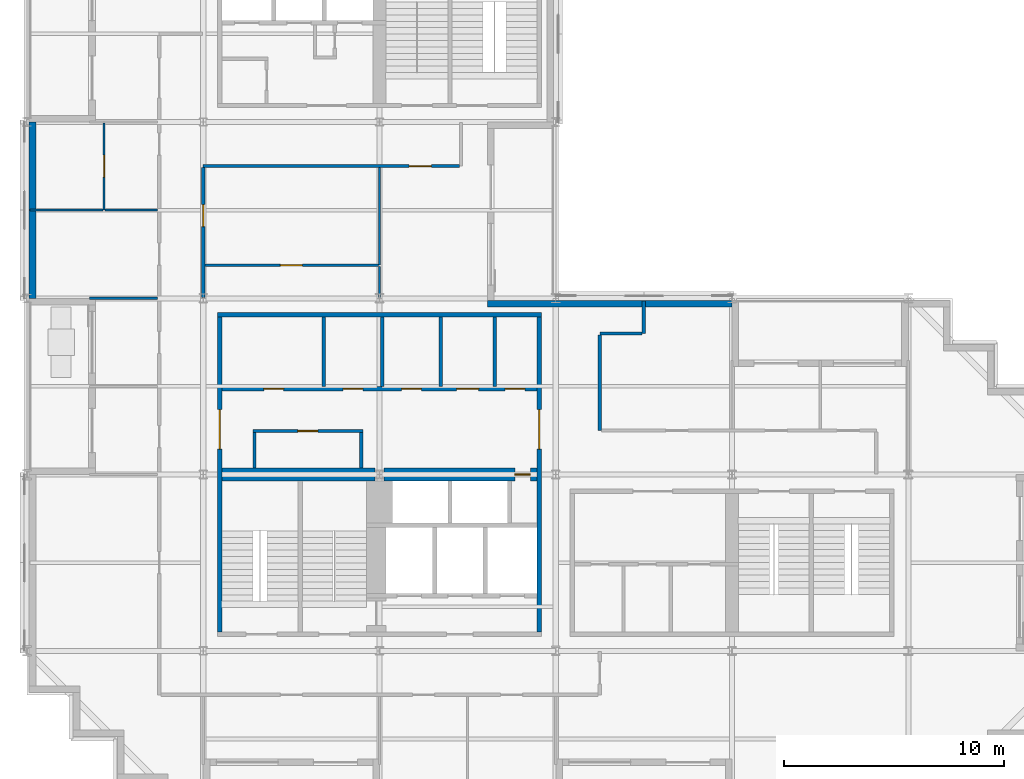
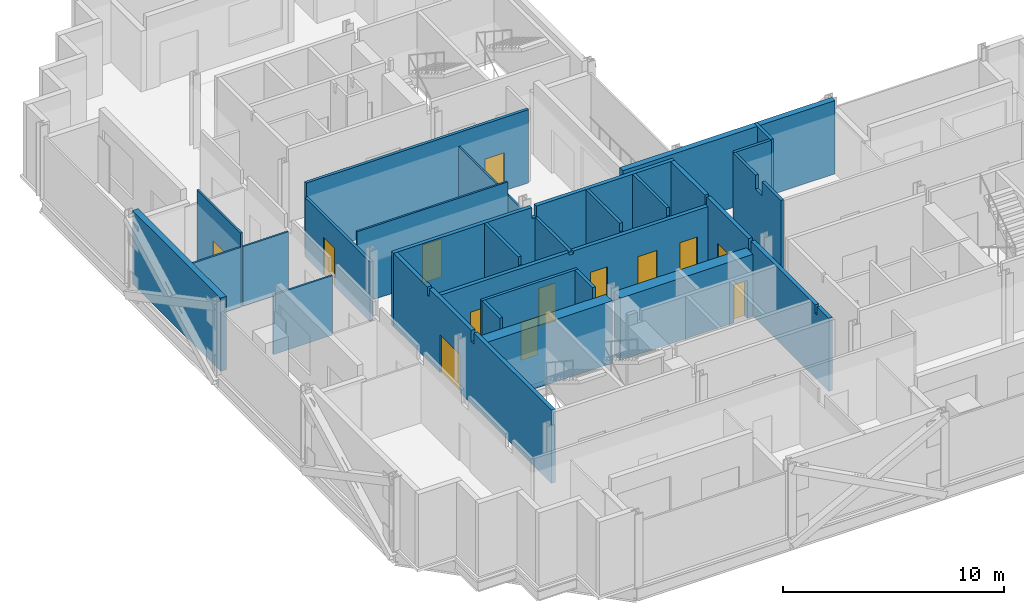
# One storey, part 6 of 12: 27 walls, 13 doors, 13 openings.
"""IFC4 building model written with IfcOpenShell, lengths in metres."""

import ifcopenshell
import ifcopenshell.guid

model = None  # the IFC model being written
_history = None  # IfcOwnerHistory: only IFC2X3 demands one
_inside = {}  # id of a spatial element -> (the spatial element, [elements in it])
_under = {}  # id of a project, library or spatial element -> (it, [spatial elements below it])
_declared = {}  # id of a project -> (the project, [libraries it declares])
_typed = {}  # id of a type object -> (the type object, [elements of that type])
_made_of = {}  # id of a material, layer set ... -> (it, [elements and type objects made of it])


def new_model(schema):
    """Start an empty IFC model of exactly this schema.

    Asked for "IFC4X3", IfcOpenShell would pick the latest addendum, in which some entities
    have other attributes; the version numbers below select the first issue.
    IFC2X3 requires an IfcOwnerHistory on every rooted entity: one is made here for all.
    """
    global model, _history
    if schema == "IFC4X3":
        model = ifcopenshell.file(schema_version=(4, 3, 0, 0))
    else:
        model = ifcopenshell.file(schema=schema)
    _inside.clear()
    _under.clear()
    _declared.clear()
    _typed.clear()
    _made_of.clear()
    _history = None
    if model.schema == "IFC2X3":
        org = make("IfcOrganization", Name="unknown")
        user = make(
            "IfcPersonAndOrganization",
            ThePerson=make("IfcPerson", FamilyName="unknown"),
            TheOrganization=org,
        )
        app = make(
            "IfcApplication",
            ApplicationDeveloper=org,
            Version="unknown",
            ApplicationFullName="unknown",
            ApplicationIdentifier="unknown",
        )
        _history = make(
            "IfcOwnerHistory",
            OwningUser=user,
            OwningApplication=app,
            ChangeAction="ADDED",
            CreationDate=0,
        )
    return model


def make(cls, **values):
    """One entity of the class cls with the attributes given. An attribute that is None is left unset."""
    return model.create_entity(
        cls, **{name: value for name, value in values.items() if value is not None}
    )


def rooted(cls, **values):
    """An entity with a GlobalId (a new one), such as an element, a storey or a relation."""
    return make(cls, GlobalId=ifcopenshell.guid.new(), OwnerHistory=_history, **values)


def si_unit(unit_type, name, prefix=None):
    """IfcSIUnit, for example si_unit("LENGTHUNIT", "METRE", prefix="MILLI")."""
    return make("IfcSIUnit", UnitType=unit_type, Prefix=prefix, Name=name)


def assignment(units):
    """IfcUnitAssignment: the units of a project."""
    return None if units is None else make("IfcUnitAssignment", Units=units)


def point(xyz):
    """IfcCartesianPoint."""
    return None if xyz is None else make("IfcCartesianPoint", Coordinates=xyz)


def direction(xyz):
    """IfcDirection."""
    return None if xyz is None else make("IfcDirection", DirectionRatios=xyz)


def frame(location, z_axis=None, x_axis=None):
    """IfcAxis2Placement3D, a coordinate frame: its origin and axes. An axis left out is left unset."""
    return make(
        "IfcAxis2Placement3D",
        Location=point(location),
        Axis=direction(z_axis),
        RefDirection=direction(x_axis),
    )


def frame_2d(location, x_axis=None):
    """IfcAxis2Placement2D, a coordinate frame in the plane: its origin and x axis."""
    return make(
        "IfcAxis2Placement2D", Location=point(location), RefDirection=direction(x_axis)
    )


def origin():
    """The frame at (0, 0, 0) with its axes left unset."""
    return frame((0.0, 0.0, 0.0))


def place(relative_to, where):
    """IfcLocalPlacement: puts the frame where relative to a parent placement (None: the world)."""
    return make(
        "IfcLocalPlacement", PlacementRelTo=relative_to, RelativePlacement=where
    )


def context(
    kind, dimensions, precision=None, world=None, true_north=None, identifier=None
):
    """IfcGeometricRepresentationContext, for example the 3D "Model" context."""
    return make(
        "IfcGeometricRepresentationContext",
        ContextIdentifier=identifier,
        ContextType=kind,
        CoordinateSpaceDimension=dimensions,
        Precision=precision,
        WorldCoordinateSystem=world,
        TrueNorth=true_north,
    )


def subcontext(parent, identifier, kind, view, scale=None):
    """IfcGeometricRepresentationSubContext, for example "Body" below "Model"."""
    return make(
        "IfcGeometricRepresentationSubContext",
        ContextIdentifier=identifier,
        ContextType=kind,
        ParentContext=parent,
        TargetScale=scale,
        TargetView=view,
    )


def project(units=None, contexts=None):
    """IfcProject with its units and contexts."""
    return rooted(
        "IfcProject",
        Name="project",
        RepresentationContexts=contexts,
        UnitsInContext=assignment(units),
    )


def spatial(cls, under=None, at=None, **own):
    """A site, building, storey or space (cls), placed at a placement, below another one or the project."""
    s = rooted(cls, ObjectPlacement=at, **own)
    if under is not None:
        _under.setdefault(under.id(), (under, []))[1].append(s)
    return s


def polyline(points):
    """IfcPolyline through the points."""
    return make("IfcPolyline", Points=[point(p) for p in points])


def profile(cls, at=None, kind="AREA", **sizes):
    """A parametric profile (cls). Its sizes go by their IFC names, for example OverallWidth=200.0."""
    return make(cls, ProfileType=kind, Position=at, **sizes)


def rectangle(**sizes):
    """IfcRectangleProfileDef."""
    return profile("IfcRectangleProfileDef", **sizes)


def outline(outer, holes=None, kind="AREA"):
    """IfcArbitraryClosedProfileDef: a profile drawn as a closed curve; with holes, ...WithVoids."""
    if holes is None:
        return make("IfcArbitraryClosedProfileDef", ProfileType=kind, OuterCurve=outer)
    return make(
        "IfcArbitraryProfileDefWithVoids",
        ProfileType=kind,
        OuterCurve=outer,
        InnerCurves=holes,
    )


def extrude(swept, where, along, depth):
    """IfcExtrudedAreaSolid: the profile swept, set in the frame where, extruded along a direction by depth."""
    return make(
        "IfcExtrudedAreaSolid",
        SweptArea=swept,
        Position=where,
        ExtrudedDirection=direction(along),
        Depth=depth,
    )


def shape(context_of_items, identifier, shape_type, items):
    """IfcShapeRepresentation: the items that make up one representation, for example the "Body"."""
    return make(
        "IfcShapeRepresentation",
        ContextOfItems=context_of_items,
        RepresentationIdentifier=identifier,
        RepresentationType=shape_type,
        Items=items,
    )


def material(Name=None, Category=None):
    """IfcMaterial."""
    return make("IfcMaterial", Name=Name, Category=Category)


def layer(
    of_material, thickness, ventilated=None, Name=None, Category=None, Priority=None
):
    """IfcMaterialLayer: one layer of a wall or slab, of a material (None: an air gap)."""
    return make(
        "IfcMaterialLayer",
        Material=of_material,
        LayerThickness=thickness,
        IsVentilated=ventilated,
        Name=Name,
        Category=Category,
        Priority=Priority,
    )


def layer_set(layers, Name=None):
    """IfcMaterialLayerSet."""
    return make("IfcMaterialLayerSet", MaterialLayers=layers, LayerSetName=Name)


def made_of(thing, what):
    """Note that an element or type object is made of a material, layer set ...; save() writes the relation."""
    if what is not None:
        _made_of.setdefault(what.id(), (what, []))[1].append(thing)
    return thing


def type_object(cls, material=None, **own):
    """A type object (cls), such as IfcWallType, which elements share."""
    return made_of(rooted(cls, **own), material)


def element(
    cls,
    number,
    at=None,
    inside=None,
    cuts=None,
    type_object=None,
    material=None,
    context=None,
    identifier="Body",
    shape_type=None,
    held_by="IfcProductDefinitionShape",
    body=None,
    shapes=None,
    **own,
):
    """One element of the class cls, such as IfcWall. Its Tag is "e" and its number.

    at: its placement. inside: the storey or other place that contains it. cuts: it is an
    opening in that element (IfcRelVoidsElement). A single representation is given by context,
    identifier, shape_type and body (its items); several are given by shapes. held_by: the class
    of the entity that holds the representations. save() writes the other relations.
    """
    e = rooted(cls, Tag="e%d" % number, ObjectPlacement=at, **own)
    if body is not None:
        shapes = [shape(context, identifier, shape_type, body)]
    if shapes is not None:
        e.Representation = make(held_by, Representations=shapes)
    if inside is not None:
        _inside.setdefault(inside.id(), (inside, []))[1].append(e)
    if cuts is not None:
        rooted(
            "IfcRelVoidsElement", RelatingBuildingElement=cuts, RelatedOpeningElement=e
        )
    if type_object is not None:
        _typed.setdefault(type_object.id(), (type_object, []))[1].append(e)
    return made_of(e, material)


def fill(opening, filler):
    """IfcRelFillsElement: the door or window that sits in an opening."""
    return rooted(
        "IfcRelFillsElement",
        RelatingOpeningElement=opening,
        RelatedBuildingElement=filler,
    )


def aggregate(whole, parts):
    """IfcRelAggregates: a whole, such as a stair, and the parts it consists of."""
    return rooted("IfcRelAggregates", RelatingObject=whole, RelatedObjects=parts)


def save(model, path):
    """Write the relations noted so far, then the file.

    IfcRelAggregates (storeys below a building ...), IfcRelContainedInSpatialStructure (elements
    in a storey), IfcRelDefinesByType, IfcRelAssociatesMaterial and IfcRelDeclares: one each for
    every whole, place, type object, material and project.
    """
    for whole, parts in _under.values():
        aggregate(whole, parts)
    for where, things in _inside.values():
        rooted(
            "IfcRelContainedInSpatialStructure",
            RelatedElements=things,
            RelatingStructure=where,
        )
    for kind, things in _typed.values():
        rooted("IfcRelDefinesByType", RelatedObjects=things, RelatingType=kind)
    for what, things in _made_of.values():
        rooted("IfcRelAssociatesMaterial", RelatedObjects=things, RelatingMaterial=what)
    for by, libraries in _declared.values():
        rooted("IfcRelDeclares", RelatingContext=by, RelatedDefinitions=libraries)
    model.write(path)


model = new_model("IFC4")

# Units and contexts
model_context = context("Model", 3, precision=1e-05, world=origin(), true_north=direction((0.0, 1.0)))
body_context = subcontext(model_context, "Body", "Model", "MODEL_VIEW")
ifc_project = project(units=[si_unit("LENGTHUNIT", "METRE"), si_unit("AREAUNIT", "SQUARE_METRE"), si_unit("VOLUMEUNIT", "CUBIC_METRE"), si_unit("PLANEANGLEUNIT", "RADIAN"), si_unit("MASSUNIT", "GRAM", prefix="KILO")], contexts=[model_context])

# Site, building, storey
site_placement = place(None, origin())
site = spatial("IfcSite", under=ifc_project, at=site_placement, CompositionType="ELEMENT")
building_placement = place(site_placement, origin())
building = spatial("IfcBuilding", under=site, at=building_placement, Name="Immortelle Media Tower", CompositionType="ELEMENT")
storey_placement = place(building_placement, frame((0.0, 0.0, 149.39990234375)))
storey = spatial("IfcBuildingStorey", under=building, at=storey_placement, Name="L30", CompositionType="ELEMENT", Elevation=149.39990234375)

# Wall, opening, door
ifc_material_1 = material(Name="Fire-rated masonry blockwork", Category="masonry")
ifc_layer_1 = layer(ifc_material_1, 0.60009765625)
ifc_layer_set_1 = layer_set([ifc_layer_1], Name="Fire-rated masonry blockwork")
wall_type_1 = type_object("IfcWallType", Name="Core grid-line wall 600", PredefinedType="PARTITIONING", material=ifc_layer_set_1)
wall_1_placement = place(storey_placement, frame((16.21044921875, 16.0, 0.0), z_axis=(0.0, 0.0, 1.0), x_axis=(1.0, 0.0, 0.0)))
wall_1 = element("IfcWall", 1, at=wall_1_placement, inside=storey, type_object=wall_type_1, Name="Core grid-line wall SW", PredefinedType="PARTITIONING", context=body_context, shape_type="SweptSolid", body=[
    extrude(rectangle(XDim=6.939453125, YDim=0.60009765625, at=frame_2d((3.4697265625, 0.0))), origin(), (0.0, 0.0, 1.0), 3.442138671875),
])
opening_1_placement = place(wall_1_placement, frame((6.639404296875, 0.0, 0.0), z_axis=(0.0, 0.0, 1.0), x_axis=(-1.0, 0.0, 0.0)))
opening_1 = element("IfcOpeningElement", 2, at=opening_1_placement, cuts=wall_1, Name="Opening C3-K015", PredefinedType="OPENING", context=body_context, shape_type="SweptSolid", body=[
    extrude(rectangle(XDim=0.699951171875, YDim=2.10009765625, at=frame_2d((0.35009765625, 1.050048828125))), frame((0.0, 0.31005859375, 0.0), z_axis=(0.0, -1.0, 0.0), x_axis=(1.0, 0.0, 0.0)), (0.0, 0.0, 1.0), 0.6201171875),
])
ifc_material_2 = material(Name="Galvanised steel door leaf and frame ASTM A653", Category="steel")
door_type_1 = type_object("IfcDoorType", Name="Service door 700 x 2100", OperationType="NOTDEFINED", PredefinedType="NOTDEFINED", material=ifc_material_2)
door_1_placement = place(opening_1_placement, origin())
door_1 = element("IfcDoor", 3, at=door_1_placement, inside=storey, type_object=door_type_1, Name="Service C3-K015", OperationType="SINGLE_SWING_RIGHT", OverallHeight=2.10009765625, OverallWidth=0.699951171875, PredefinedType="NOTDEFINED", context=body_context, shape_type="SweptSolid", body=[
    extrude(rectangle(XDim=0.699951171875, YDim=2.10009765625, at=frame_2d((0.35009765625, 1.050048828125))), frame((0.0, 0.02490234375, 0.0), z_axis=(0.0, -1.0, 0.0), x_axis=(1.0, 0.0, 0.0)), (0.0, 0.0, 1.0), 0.050048828125),
])
fill(opening_1, door_1)

# Wall
ifc_material_3 = material(Name="Fire-rated gypsum board", Category="gypsum")
ifc_layer_2 = layer(ifc_material_3, 0.02490234375)
ifc_material_4 = material(Name="Steel ASTM A653 SS Gr 50 stud frame with mineral wool", Category="steel")
ifc_layer_3 = layer(ifc_material_4, 0.10009765625)
ifc_layer_4 = layer(ifc_material_3, 0.02490234375)
ifc_layer_set_2 = layer_set([ifc_layer_2, ifc_layer_3, ifc_layer_4], Name="Steel ASTM A653 SS Gr 50 stud frame with mineral wool")
wall_type_2 = type_object("IfcWallType", Name="Core partition 150", PredefinedType="PARTITIONING", material=ifc_layer_set_2)
wall_2_placement = place(storey_placement, frame((10.324951171875, 16.300048828125, 0.0), z_axis=(0.0, 0.0, 1.0), x_axis=(0.0, 1.0, 0.0)))
element("IfcWall", 4, at=wall_2_placement, inside=storey, type_object=wall_type_2, Name="Core partition SW", PredefinedType="PARTITIONING", context=body_context, shape_type="SweptSolid", body=[
    extrude(rectangle(XDim=1.599853515625, YDim=0.14990234375, at=frame_2d((0.7998046875, 0.0))), origin(), (0.0, 0.0, 1.0), 4.050048828125),
])

# Wall, opening, door
wall_3_placement = place(storey_placement, frame((10.25, 17.97509765625, 0.0), z_axis=(0.0, 0.0, 1.0), x_axis=(1.0, 0.0, 0.0)))
wall_3 = element("IfcWall", 5, at=wall_3_placement, inside=storey, type_object=wall_type_2, Name="Core partition SW", PredefinedType="PARTITIONING", context=body_context, shape_type="SweptSolid", body=[
    extrude(rectangle(XDim=5.0, YDim=0.14990234375, at=frame_2d((2.5, 0.0))), origin(), (0.0, 0.0, 1.0), 4.050048828125),
])
opening_2_placement = place(wall_3_placement, frame((2.949951171875, 0.0, 0.0), z_axis=(0.0, 0.0, 1.0), x_axis=(-1.0, 0.0, 0.0)))
opening_2 = element("IfcOpeningElement", 6, at=opening_2_placement, cuts=wall_3, Name="Opening C3-K004", PredefinedType="OPENING", context=body_context, shape_type="SweptSolid", body=[
    extrude(rectangle(XDim=0.89990234375, YDim=2.10009765625, at=frame_2d((0.449951171875, 1.050048828125))), frame((0.0, 0.0849609375, 0.0), z_axis=(0.0, -1.0, 0.0), x_axis=(1.0, 0.0, 0.0)), (0.0, 0.0, 1.0), 0.169921875),
])
ifc_material_5 = material(Name="Timber", Category="wood")
door_type_2 = type_object("IfcDoorType", Name="Room door 900 x 2100", OperationType="NOTDEFINED", PredefinedType="NOTDEFINED", material=ifc_material_5)
door_2_placement = place(opening_2_placement, origin())
door_2 = element("IfcDoor", 7, at=door_2_placement, inside=storey, type_object=door_type_2, Name="Room C3-K004", OperationType="SINGLE_SWING_RIGHT", OverallHeight=2.10009765625, OverallWidth=0.89990234375, PredefinedType="NOTDEFINED", context=body_context, shape_type="SweptSolid", body=[
    extrude(rectangle(XDim=0.89990234375, YDim=2.10009765625, at=frame_2d((0.449951171875, 1.050048828125))), frame((0.0, 0.02490234375, 0.0), z_axis=(0.0, -1.0, 0.0), x_axis=(1.0, 0.0, 0.0)), (0.0, 0.0, 1.0), 0.050048828125),
])
fill(opening_2, door_2)

# Walls
wall_4_placement = place(storey_placement, frame((13.47509765625, 20.0, 0.0), z_axis=(0.0, 0.0, 1.0), x_axis=(0.0, 1.0, 0.0)))
element("IfcWall", 8, at=wall_4_placement, inside=storey, type_object=wall_type_2, Name="Core partition SW", PredefinedType="PARTITIONING", context=body_context, shape_type="SweptSolid", body=[
    extrude(outline(polyline([(0.0, 0.0), (3.14990234375, 0.0), (3.14990234375, 4.050048828125), (0.08154296875, 4.050048828125), (0.08056640625, 3.589111328125), (0.0, 3.589111328125), (0.0, 0.0)])), frame((0.0, 0.074951171875, 0.0), z_axis=(0.0, -1.0, 0.0), x_axis=(1.0, 0.0, 0.0)), (0.0, 0.0, 1.0), 0.14990234375),
])
wall_5_placement = place(storey_placement, frame((15.175048828125, 16.300048828125, 0.0), z_axis=(0.0, 0.0, 1.0), x_axis=(0.0, 1.0, 0.0)))
element("IfcWall", 9, at=wall_5_placement, inside=storey, type_object=wall_type_2, Name="Core partition SW", PredefinedType="PARTITIONING", context=body_context, shape_type="SweptSolid", body=[
    extrude(rectangle(XDim=1.599853515625, YDim=0.14990234375, at=frame_2d((0.7998046875, 0.0))), origin(), (0.0, 0.0, 1.0), 4.050048828125),
])
wall_6_placement = place(storey_placement, frame((16.125, 20.0, 0.0), z_axis=(0.0, 0.0, 1.0), x_axis=(0.0, 1.0, 0.0)))
element("IfcWall", 10, at=wall_6_placement, inside=storey, type_object=wall_type_2, Name="Core partition SW", PredefinedType="PARTITIONING", context=body_context, shape_type="SweptSolid", body=[
    extrude(rectangle(XDim=3.14990234375, YDim=0.14990234375, at=frame_2d((1.574951171875, 0.0))), origin(), (0.0, 0.0, 1.0), 3.442138671875),
])
for number, where, z_axis, x_axis, name in (
    (11, (18.77490234375, 20.0, 0.0), (0.0, 0.0, 1.0), (0.0, 1.0, 0.0), "Core partition SW"),
    (12, (21.22509765625, 20.0, 0.0), (0.0, 0.0, 1.0), (0.0, 1.0, 0.0), "Core partition SW"),
):
    element("IfcWall", number, at=place(storey_placement, frame(where, z_axis=z_axis, x_axis=x_axis)), inside=storey, type_object=wall_type_2, Name=name, PredefinedType="PARTITIONING", context=body_context, shape_type="SweptSolid", body=[
        extrude(outline(polyline([(0.0, 0.0), (3.14990234375, 0.0), (3.14990234375, 4.050048828125), (0.08154296875, 4.050048828125), (0.08056640625, 3.589111328125), (0.0, 3.589111328125), (0.0, 0.0)])), frame((0.0, 0.074951171875, 0.0), z_axis=(0.0, -1.0, 0.0), x_axis=(1.0, 0.0, 0.0)), (0.0, 0.0, 1.0), 0.14990234375),
    ])
ifc_layer_5 = layer(ifc_material_3, 0.03759765625)
ifc_layer_6 = layer(ifc_material_4, 0.125)
ifc_layer_7 = layer(ifc_material_3, 0.03759765625)
ifc_layer_set_3 = layer_set([ifc_layer_5, ifc_layer_6, ifc_layer_7], Name="Steel ASTM A653 SS Gr 50 stud frame with mineral wool")
wall_type_3 = type_object("IfcWallType", Name="Core shaft wall 200", PredefinedType="PARTITIONING", material=ifc_layer_set_3)
wall_7_placement = place(storey_placement, frame((8.64990234375, 23.25, 0.0), z_axis=(0.0, 0.0, 1.0), x_axis=(1.0, 0.0, 0.0)))
element("IfcWall", 13, at=wall_7_placement, inside=storey, type_object=wall_type_3, Name="Core shaft wall SW", PredefinedType="PARTITIONING", context=body_context, shape_type="SweptSolid", body=[
    extrude(outline(polyline([(0.0, 0.0), (14.7001953125, 0.0), (14.699951171875, 4.050048828125), (7.468994140625, 4.050048828125), (7.468017578125, 3.442138671875), (7.23193359375, 3.442138671875), (7.23095703125, 4.050048828125), (0.0, 4.050048828125), (0.0, 0.0)])), frame((0.0, 0.10009765625, 0.0), z_axis=(0.0, -1.0, 0.0), x_axis=(1.0, 0.0, 0.0)), (0.0, 0.0, 1.0), 0.199951171875),
])

# Wall, openings, doors
wall_8_placement = place(storey_placement, frame((8.85009765625, 19.89990234375, 0.0), z_axis=(0.0, 0.0, 1.0), x_axis=(1.0, 0.0, 0.0)))
wall_8 = element("IfcWall", 14, at=wall_8_placement, inside=storey, type_object=wall_type_3, Name="Core shaft wall SW", PredefinedType="PARTITIONING", context=body_context, shape_type="SweptSolid", body=[
    extrude(outline(polyline([(0.0, 0.0), (14.2998046875, 0.0), (14.300048828125, 3.589111328125), (7.26904296875, 3.589111328125), (7.26806640625, 3.442138671875), (7.031982421875, 3.442138671875), (7.031005859375, 3.589111328125), (0.0, 3.589111328125), (0.0, 0.0)])), frame((0.0, 0.10009765625, 0.0), z_axis=(0.0, -1.0, 0.0), x_axis=(1.0, 0.0, 0.0)), (0.0, 0.0, 1.0), 0.199951171875),
])
opening_3_placement = place(wall_8_placement, frame((1.89990234375, 0.0, 0.0)))
opening_3 = element("IfcOpeningElement", 15, at=opening_3_placement, cuts=wall_8, Name="Opening C3-K003", PredefinedType="OPENING", context=body_context, shape_type="SweptSolid", body=[
    extrude(rectangle(XDim=0.89990234375, YDim=2.10009765625, at=frame_2d((0.449951171875, 1.050048828125))), frame((0.0, 0.10986328125, 0.0), z_axis=(0.0, -1.0, 0.0), x_axis=(1.0, 0.0, 0.0)), (0.0, 0.0, 1.0), 0.219970703125),
])
opening_4_placement = place(wall_8_placement, frame((5.5, 0.0, 0.0)))
opening_4 = element("IfcOpeningElement", 16, at=opening_4_placement, cuts=wall_8, Name="Opening C3-K006", PredefinedType="OPENING", context=body_context, shape_type="SweptSolid", body=[
    extrude(rectangle(XDim=0.89990234375, YDim=2.10009765625, at=frame_2d((0.449951171875, 1.050048828125))), frame((0.0, 0.10986328125, 0.0), z_axis=(0.0, -1.0, 0.0), x_axis=(1.0, 0.0, 0.0)), (0.0, 0.0, 1.0), 0.219970703125),
])
opening_5_placement = place(wall_8_placement, frame((8.14990234375, 0.0, 0.0)))
opening_5 = element("IfcOpeningElement", 17, at=opening_5_placement, cuts=wall_8, Name="Opening C3-K009", PredefinedType="OPENING", context=body_context, shape_type="SweptSolid", body=[
    extrude(rectangle(XDim=0.89990234375, YDim=2.10009765625, at=frame_2d((0.449951171875, 1.050048828125))), frame((0.0, 0.10986328125, 0.0), z_axis=(0.0, -1.0, 0.0), x_axis=(1.0, 0.0, 0.0)), (0.0, 0.0, 1.0), 0.219970703125),
])
opening_6_placement = place(wall_8_placement, frame((10.64990234375, 0.0, 0.0)))
opening_6 = element("IfcOpeningElement", 18, at=opening_6_placement, cuts=wall_8, Name="Opening C3-K012", PredefinedType="OPENING", context=body_context, shape_type="SweptSolid", body=[
    extrude(rectangle(XDim=1.0, YDim=2.10009765625, at=frame_2d((0.5, 1.050048828125))), frame((0.0, 0.10986328125, 0.0), z_axis=(0.0, -1.0, 0.0), x_axis=(1.0, 0.0, 0.0)), (0.0, 0.0, 1.0), 0.219970703125),
])
opening_7_placement = place(wall_8_placement, frame((12.85009765625, 0.0, 0.0)))
opening_7 = element("IfcOpeningElement", 19, at=opening_7_placement, cuts=wall_8, Name="Opening C3-K014", PredefinedType="OPENING", context=body_context, shape_type="SweptSolid", body=[
    extrude(rectangle(XDim=0.89990234375, YDim=2.10009765625, at=frame_2d((0.449951171875, 1.050048828125))), frame((0.0, 0.10986328125, 0.0), z_axis=(0.0, -1.0, 0.0), x_axis=(1.0, 0.0, 0.0)), (0.0, 0.0, 1.0), 0.219970703125),
])
door_type_3 = type_object("IfcDoorType", Name="Accessible toilet door 1000 x 2100", OperationType="NOTDEFINED", PredefinedType="NOTDEFINED", material=ifc_material_5)
door_3_placement = place(opening_6_placement, origin())
door_3 = element("IfcDoor", 20, at=door_3_placement, inside=storey, type_object=door_type_3, Name="Accessible toilet C3-K012", OperationType="SINGLE_SWING_RIGHT", OverallHeight=2.10009765625, OverallWidth=1.0, PredefinedType="NOTDEFINED", context=body_context, shape_type="SweptSolid", body=[
    extrude(rectangle(XDim=1.0, YDim=2.10009765625, at=frame_2d((0.5, 1.050048828125))), frame((0.0, 0.02490234375, 0.0), z_axis=(0.0, -1.0, 0.0), x_axis=(1.0, 0.0, 0.0)), (0.0, 0.0, 1.0), 0.050048828125),
])
fill(opening_6, door_3)
door_4_placement = place(opening_3_placement, origin())
door_4 = element("IfcDoor", 21, at=door_4_placement, inside=storey, type_object=door_type_2, Name="Room C3-K003", OperationType="SINGLE_SWING_LEFT", OverallHeight=2.10009765625, OverallWidth=0.89990234375, PredefinedType="NOTDEFINED", context=body_context, shape_type="SweptSolid", body=[
    extrude(rectangle(XDim=0.89990234375, YDim=2.10009765625, at=frame_2d((0.449951171875, 1.050048828125))), frame((0.0, 0.02490234375, 0.0), z_axis=(0.0, -1.0, 0.0), x_axis=(1.0, 0.0, 0.0)), (0.0, 0.0, 1.0), 0.050048828125),
])
fill(opening_3, door_4)
door_5_placement = place(opening_7_placement, origin())
door_5 = element("IfcDoor", 22, at=door_5_placement, inside=storey, type_object=door_type_2, Name="Room C3-K014", OperationType="SINGLE_SWING_RIGHT", OverallHeight=2.10009765625, OverallWidth=0.89990234375, PredefinedType="NOTDEFINED", context=body_context, shape_type="SweptSolid", body=[
    extrude(rectangle(XDim=0.89990234375, YDim=2.10009765625, at=frame_2d((0.449951171875, 1.050048828125))), frame((0.0, 0.02490234375, 0.0), z_axis=(0.0, -1.0, 0.0), x_axis=(1.0, 0.0, 0.0)), (0.0, 0.0, 1.0), 0.050048828125),
])
fill(opening_7, door_5)
door_type_4 = type_object("IfcDoorType", Name="Toilet door 900 x 2100", OperationType="NOTDEFINED", PredefinedType="NOTDEFINED", material=ifc_material_5)
door_6_placement = place(opening_4_placement, origin())
door_6 = element("IfcDoor", 23, at=door_6_placement, inside=storey, type_object=door_type_4, Name="Toilet C3-K006", OperationType="SINGLE_SWING_LEFT", OverallHeight=2.10009765625, OverallWidth=0.89990234375, PredefinedType="NOTDEFINED", context=body_context, shape_type="SweptSolid", body=[
    extrude(rectangle(XDim=0.89990234375, YDim=2.10009765625, at=frame_2d((0.449951171875, 1.050048828125))), frame((0.0, 0.02490234375, 0.0), z_axis=(0.0, -1.0, 0.0), x_axis=(1.0, 0.0, 0.0)), (0.0, 0.0, 1.0), 0.050048828125),
])
fill(opening_4, door_6)
door_7_placement = place(opening_5_placement, origin())
door_7 = element("IfcDoor", 24, at=door_7_placement, inside=storey, type_object=door_type_4, Name="Toilet C3-K009", OperationType="SINGLE_SWING_LEFT", OverallHeight=2.10009765625, OverallWidth=0.89990234375, PredefinedType="NOTDEFINED", context=body_context, shape_type="SweptSolid", body=[
    extrude(rectangle(XDim=0.89990234375, YDim=2.10009765625, at=frame_2d((0.449951171875, 1.050048828125))), frame((0.0, 0.02490234375, 0.0), z_axis=(0.0, -1.0, 0.0), x_axis=(1.0, 0.0, 0.0)), (0.0, 0.0, 1.0), 0.050048828125),
])
fill(opening_5, door_7)

# Wall, opening, door
wall_9_placement = place(storey_placement, frame((23.25, 8.85009765625, 0.0), z_axis=(0.0, 0.0, 1.0), x_axis=(0.0, 1.0, 0.0)))
wall_9 = element("IfcWall", 25, at=wall_9_placement, inside=storey, type_object=wall_type_3, Name="Core shaft wall SW", PredefinedType="PARTITIONING", context=body_context, shape_type="SweptSolid", body=[
    extrude(outline(polyline([(0.0, 0.0), (14.2998046875, 0.0), (14.300048828125, 4.050048828125), (11.2314453125, 4.050048828125), (11.23046875, 3.589111328125), (11.069580078125, 3.589111328125), (11.068603515625, 4.050048828125), (7.26904296875, 4.050048828125), (7.26806640625, 3.442138671875), (7.031982421875, 3.442138671875), (7.031005859375, 4.050048828125), (1.2314453125, 4.050048828125), (1.23046875, 3.589111328125), (1.069580078125, 3.589111328125), (1.068603515625, 4.050048828125), (0.0, 4.050048828125), (0.0, 0.0)])), frame((0.0, 0.10009765625, 0.0), z_axis=(0.0, -1.0, 0.0), x_axis=(1.0, 0.0, 0.0)), (0.0, 0.0, 1.0), 0.199951171875),
])
opening_8_placement = place(wall_9_placement, frame((8.300048828125, 0.0, 0.0)))
opening_8 = element("IfcOpeningElement", 26, at=opening_8_placement, cuts=wall_9, Name="Opening C3-K016", PredefinedType="OPENING", context=body_context, shape_type="SweptSolid", body=[
    extrude(rectangle(XDim=1.800048828125, YDim=2.10009765625, at=frame_2d((0.89990234375, 1.050048828125))), frame((0.0, 0.10986328125, 0.0), z_axis=(0.0, -1.0, 0.0), x_axis=(1.0, 0.0, 0.0)), (0.0, 0.0, 1.0), 0.219970703125),
])
door_type_5 = type_object("IfcDoorType", Name="Lift lobby door 1800 x 2100", OperationType="DOUBLE_DOOR_SINGLE_SWING", PredefinedType="NOTDEFINED", material=ifc_material_2)
door_8_placement = place(opening_8_placement, origin())
door_8 = element("IfcDoor", 27, at=door_8_placement, inside=storey, type_object=door_type_5, Name="Lift lobby C3-K016", OperationType="DOUBLE_DOOR_SINGLE_SWING", OverallHeight=2.10009765625, OverallWidth=1.800048828125, PredefinedType="NOTDEFINED", context=body_context, shape_type="SweptSolid", body=[
    extrude(rectangle(XDim=1.800048828125, YDim=2.10009765625, at=frame_2d((0.89990234375, 1.050048828125))), frame((0.0, 0.02490234375, 0.0), z_axis=(0.0, -1.0, 0.0), x_axis=(1.0, 0.0, 0.0)), (0.0, 0.0, 1.0), 0.050048828125),
])
fill(opening_8, door_8)

# Walls
ifc_layer_8 = layer(ifc_material_3, 0.012451171875)
ifc_layer_9 = layer(ifc_material_4, 0.125)
ifc_layer_10 = layer(ifc_material_3, 0.012451171875)
ifc_layer_set_4 = layer_set([ifc_layer_8, ifc_layer_9, ifc_layer_10], Name="Steel ASTM A653 SS Gr 50 stud frame with mineral wool")
wall_type_4 = type_object("IfcWallType", Name="Corridor wall 150", PredefinedType="PARTITIONING", material=ifc_layer_set_4)
wall_10_placement = place(storey_placement, frame((26.0, 18.0, 0.0), z_axis=(0.0, 0.0, 1.0), x_axis=(0.0, 1.0, 0.0)))
element("IfcWall", 28, at=wall_10_placement, inside=storey, type_object=wall_type_4, Name="Partition L30-012", PredefinedType="PARTITIONING", context=body_context, shape_type="SweptSolid", body=[
    extrude(outline(polyline([(0.0, 0.0), (4.324951171875, 0.0), (4.324951171875, 4.050048828125), (2.300048828125, 4.050048828125), (2.298095703125, 3.2880859375), (1.701904296875, 3.2880859375), (1.699951171875, 4.050048828125), (0.0, 4.050048828125), (0.0, 0.0)])), frame((0.0, 0.074951171875, 0.0), z_axis=(0.0, -1.0, 0.0), x_axis=(1.0, 0.0, 0.0)), (0.0, 0.0, 1.0), 0.14990234375),
])
wall_11_placement = place(storey_placement, frame((26.0, 22.39990234375, 0.0), z_axis=(0.0, 0.0, 1.0), x_axis=(1.0, 0.0, 0.0)))
element("IfcWall", 29, at=wall_11_placement, inside=storey, type_object=wall_type_4, Name="Partition L30-016", PredefinedType="PARTITIONING", context=body_context, shape_type="SweptSolid", body=[
    extrude(rectangle(XDim=1.925048828125, YDim=0.14990234375, at=frame_2d((0.96240234375, 0.0))), origin(), (0.0, 0.0, 1.0), 4.050048828125),
])
wall_12_placement = place(storey_placement, frame((28.0, 22.39990234375, 0.0), z_axis=(0.0, 0.0, 1.0), x_axis=(0.0, 1.0, 0.0)))
element("IfcWall", 30, at=wall_12_placement, inside=storey, type_object=wall_type_4, Name="Partition L30-017", PredefinedType="PARTITIONING", context=body_context, shape_type="SweptSolid", body=[
    extrude(rectangle(XDim=1.47021484375, YDim=0.14990234375, at=frame_2d((0.735107421875, 0.0))), origin(), (0.0, 0.0, 1.0), 4.050048828125),
])

# Wall, opening, door
wall_13_placement = place(storey_placement, frame((8.0, 24.030029296875, 0.0), z_axis=(0.0, 0.0, 1.0), x_axis=(0.0, 1.0, 0.0)))
wall_13 = element("IfcWall", 31, at=wall_13_placement, inside=storey, type_object=wall_type_4, Name="Partition L30-019", PredefinedType="PARTITIONING", context=body_context, shape_type="SweptSolid", body=[
    extrude(rectangle(XDim=5.89501953125, YDim=0.14990234375, at=frame_2d((2.947509765625, 0.0))), origin(), (0.0, 0.0, 1.0), 3.2880859375),
])
opening_9_placement = place(wall_13_placement, frame((4.219970703125, 0.0, 0.0), z_axis=(0.0, 0.0, 1.0), x_axis=(-1.0, 0.0, 0.0)))
opening_9 = element("IfcOpeningElement", 32, at=opening_9_placement, cuts=wall_13, Name="Opening C3-F011", PredefinedType="OPENING", context=body_context, shape_type="SweptSolid", body=[
    extrude(rectangle(XDim=1.0, YDim=2.10009765625, at=frame_2d((0.5, 1.050048828125))), frame((0.0, 0.0849609375, 0.0), z_axis=(0.0, -1.0, 0.0), x_axis=(1.0, 0.0, 0.0)), (0.0, 0.0, 1.0), 0.169921875),
])
ifc_material_6 = material(Name="Timber veneered door leaf, galvanised steel frame ASTM A653", Category="steel")
door_type_6 = type_object("IfcDoorType", Name="Room door 1000 x 2100", OperationType="NOTDEFINED", PredefinedType="DOOR", material=ifc_material_6)
door_9_placement = place(opening_9_placement, origin())
door_9 = element("IfcDoor", 33, at=door_9_placement, inside=storey, type_object=door_type_6, Name="Door C3-F011", OperationType="SINGLE_SWING_LEFT", OverallHeight=2.10009765625, OverallWidth=1.0, PredefinedType="DOOR", context=body_context, shape_type="SweptSolid", body=[
    extrude(rectangle(XDim=1.0, YDim=2.10009765625, at=frame_2d((0.5, 1.050048828125))), frame((0.0, 0.02490234375, 0.0), z_axis=(0.0, -1.0, 0.0), x_axis=(1.0, 0.0, 0.0)), (0.0, 0.0, 1.0), 0.050048828125),
])
fill(opening_9, door_9)

wall_14_placement = place(storey_placement, frame((8.0, 30.0, 0.0), z_axis=(0.0, 0.0, 1.0), x_axis=(1.0, 0.0, 0.0)))
wall_14 = element("IfcWall", 34, at=wall_14_placement, inside=storey, type_object=wall_type_4, Name="Partition L30-026", PredefinedType="PARTITIONING", context=body_context, shape_type="SweptSolid", body=[
    extrude(rectangle(XDim=11.625, YDim=0.14990234375, at=frame_2d((5.8125, 0.0))), origin(), (0.0, 0.0, 1.0), 4.050048828125),
])
opening_10_placement = place(wall_14_placement, frame((10.35009765625, 0.0, 0.0), z_axis=(0.0, 0.0, 1.0), x_axis=(-1.0, 0.0, 0.0)))
opening_10 = element("IfcOpeningElement", 35, at=opening_10_placement, cuts=wall_14, Name="Opening C3-F013", PredefinedType="OPENING", context=body_context, shape_type="SweptSolid", body=[
    extrude(rectangle(XDim=1.0, YDim=2.10009765625, at=frame_2d((0.5, 1.050048828125))), frame((0.0, 0.0849609375, 0.0), z_axis=(0.0, -1.0, 0.0), x_axis=(1.0, 0.0, 0.0)), (0.0, 0.0, 1.0), 0.169921875),
])
door_10_placement = place(opening_10_placement, origin())
door_10 = element("IfcDoor", 36, at=door_10_placement, inside=storey, type_object=door_type_6, Name="Door C3-F013", OperationType="SINGLE_SWING_RIGHT", OverallHeight=2.10009765625, OverallWidth=1.0, PredefinedType="DOOR", context=body_context, shape_type="SweptSolid", body=[
    extrude(rectangle(XDim=1.0, YDim=2.10009765625, at=frame_2d((0.5, 1.050048828125))), frame((0.0, 0.02490234375, 0.0), z_axis=(0.0, -1.0, 0.0), x_axis=(1.0, 0.0, 0.0)), (0.0, 0.0, 1.0), 0.050048828125),
])
fill(opening_10, door_10)

# Walls
ifc_material_7 = material(Name="Pale aluminium cladding panel", Category="aluminium")
ifc_layer_11 = layer(ifc_material_7, 0.030029296875)
ifc_layer_12 = layer(ifc_material_4, 0.257568359375)
ifc_material_8 = material(Name="Moisture-resistant gypsum board", Category="gypsum")
ifc_layer_13 = layer(ifc_material_8, 0.012451171875)
ifc_layer_set_5 = layer_set([ifc_layer_11, ifc_layer_12, ifc_layer_13], Name="Steel ASTM A653 SS Gr 50 stud frame with mineral wool")
wall_type_5 = type_object("IfcWallType", Name="Facade wall 300", PredefinedType="SOLIDWALL", material=ifc_layer_set_5)
wall_15_placement = place(storey_placement, frame((32.0, 23.75, 0.0), z_axis=(0.0, 0.0, 1.0), x_axis=(-1.0, 0.0, 0.0)))
element("IfcWall", 37, at=wall_15_placement, inside=storey, type_object=wall_type_5, Name="Facade wall L30 N20", PredefinedType="SOLIDWALL", context=body_context, shape_type="SweptSolid", body=[
    extrude(rectangle(XDim=11.10009765625, YDim=0.300048828125, at=frame_2d((5.550048828125, 0.0))), origin(), (0.0, 0.0, 1.0), 4.050048828125),
])
wall_16_placement = place(storey_placement, frame((0.25, 32.0, 0.0), z_axis=(0.0, 0.0, 1.0), x_axis=(0.0, -1.0, 0.0)))
element("IfcWall", 38, at=wall_16_placement, inside=storey, type_object=wall_type_5, Name="Facade wall L30 W35", PredefinedType="SOLIDWALL", context=body_context, shape_type="SweptSolid", body=[
    extrude(rectangle(XDim=8.0, YDim=0.300048828125, at=frame_2d((4.0, 0.0))), origin(), (0.0, 0.0, 1.0), 4.050048828125),
])
ifc_material_9 = material(Name="Gypsum board", Category="gypsum")
ifc_layer_14 = layer(ifc_material_9, 0.012451171875)
ifc_layer_15 = layer(ifc_material_4, 0.074951171875)
ifc_layer_16 = layer(ifc_material_9, 0.012451171875)
ifc_layer_set_6 = layer_set([ifc_layer_14, ifc_layer_15, ifc_layer_16], Name="Steel ASTM A653 SS Gr 50 stud frame with mineral wool")
wall_type_6 = type_object("IfcWallType", Name="Partition 100", PredefinedType="PARTITIONING", material=ifc_layer_set_6)
wall_17_placement = place(storey_placement, frame((2.830078125, 24.0, 0.0), z_axis=(0.0, 0.0, 1.0), x_axis=(1.0, 0.0, 0.0)))
element("IfcWall", 39, at=wall_17_placement, inside=storey, type_object=wall_type_6, Name="Partition L30-018", PredefinedType="PARTITIONING", context=body_context, shape_type="SweptSolid", body=[
    extrude(rectangle(XDim=3.094970703125, YDim=0.10009765625, at=frame_2d((1.54736328125, 0.0))), origin(), (0.0, 0.0, 1.0), 3.2880859375),
])
wall_18_placement = place(storey_placement, frame((16.0, 24.030029296875, 0.0), z_axis=(0.0, 0.0, 1.0), x_axis=(0.0, 1.0, 0.0)))
element("IfcWall", 40, at=wall_18_placement, inside=storey, type_object=wall_type_6, Name="Partition L30-020", PredefinedType="PARTITIONING", context=body_context, shape_type="SweptSolid", body=[
    extrude(rectangle(XDim=1.419921875, YDim=0.10009765625, at=frame_2d((0.7099609375, 0.0))), origin(), (0.0, 0.0, 1.0), 3.2880859375),
])

# Wall, opening, door
wall_19_placement = place(storey_placement, frame((8.074951171875, 25.5, 0.0), z_axis=(0.0, 0.0, 1.0), x_axis=(1.0, 0.0, 0.0)))
wall_19 = element("IfcWall", 41, at=wall_19_placement, inside=storey, type_object=wall_type_6, Name="Partition L30-021", PredefinedType="PARTITIONING", context=body_context, shape_type="SweptSolid", body=[
    extrude(rectangle(XDim=7.875, YDim=0.10009765625, at=frame_2d((3.9375, 0.0))), origin(), (0.0, 0.0, 1.0), 4.050048828125),
])
opening_11_placement = place(wall_19_placement, frame((3.425048828125, 0.0, 0.0)))
opening_11 = element("IfcOpeningElement", 42, at=opening_11_placement, cuts=wall_19, Name="Opening C3-F012", PredefinedType="OPENING", context=body_context, shape_type="SweptSolid", body=[
    extrude(rectangle(XDim=1.0, YDim=2.10009765625, at=frame_2d((0.5, 1.050048828125))), frame((0.0, 0.06005859375, 0.0), z_axis=(0.0, -1.0, 0.0), x_axis=(1.0, 0.0, 0.0)), (0.0, 0.0, 1.0), 0.1201171875),
])
door_11_placement = place(opening_11_placement, origin())
door_11 = element("IfcDoor", 43, at=door_11_placement, inside=storey, type_object=door_type_6, Name="Door C3-F012", OperationType="SINGLE_SWING_RIGHT", OverallHeight=2.10009765625, OverallWidth=1.0, PredefinedType="DOOR", context=body_context, shape_type="SweptSolid", body=[
    extrude(rectangle(XDim=1.0, YDim=2.10009765625, at=frame_2d((0.5, 1.050048828125))), frame((0.0, 0.02490234375, 0.0), z_axis=(0.0, -1.0, 0.0), x_axis=(1.0, 0.0, 0.0)), (0.0, 0.0, 1.0), 0.050048828125),
])
fill(opening_11, door_11)

# Walls
wall_20_placement = place(storey_placement, frame((16.0, 25.5, 0.0), z_axis=(0.0, 0.0, 1.0), x_axis=(0.0, 1.0, 0.0)))
element("IfcWall", 44, at=wall_20_placement, inside=storey, type_object=wall_type_6, Name="Partition L30-022", PredefinedType="PARTITIONING", context=body_context, shape_type="SweptSolid", body=[
    extrude(rectangle(XDim=4.425048828125, YDim=0.10009765625, at=frame_2d((2.21240234375, 0.0))), origin(), (0.0, 0.0, 1.0), 3.2880859375),
])
wall_21_placement = place(storey_placement, frame((0.1298828125, 28.0, 0.0), z_axis=(0.0, 0.0, 1.0), x_axis=(1.0, 0.0, 0.0)))
element("IfcWall", 45, at=wall_21_placement, inside=storey, type_object=wall_type_6, Name="Partition L30-023", PredefinedType="PARTITIONING", context=body_context, shape_type="SweptSolid", body=[
    extrude(rectangle(XDim=3.320068359375, YDim=0.10009765625, at=frame_2d((1.66015625, 0.0))), origin(), (0.0, 0.0, 1.0), 3.2880859375),
])
wall_22_placement = place(storey_placement, frame((3.550048828125, 28.0, 0.0), z_axis=(0.0, 0.0, 1.0), x_axis=(1.0, 0.0, 0.0)))
element("IfcWall", 46, at=wall_22_placement, inside=storey, type_object=wall_type_6, Name="Partition L30-024", PredefinedType="PARTITIONING", context=body_context, shape_type="SweptSolid", body=[
    extrude(rectangle(XDim=2.375, YDim=0.10009765625, at=frame_2d((1.1875, 0.0))), origin(), (0.0, 0.0, 1.0), 3.2880859375),
])

# Wall, opening, door
wall_23_placement = place(storey_placement, frame((3.5, 28.0, 0.0), z_axis=(0.0, 0.0, 1.0), x_axis=(0.0, 1.0, 0.0)))
wall_23 = element("IfcWall", 47, at=wall_23_placement, inside=storey, type_object=wall_type_6, Name="Partition L30-025", PredefinedType="PARTITIONING", context=body_context, shape_type="SweptSolid", body=[
    extrude(rectangle(XDim=3.949951171875, YDim=0.10009765625, at=frame_2d((1.97509765625, 0.0))), origin(), (0.0, 0.0, 1.0), 4.050048828125),
])
opening_12_placement = place(wall_23_placement, frame((2.5, 0.0, 0.0), z_axis=(0.0, 0.0, 1.0), x_axis=(-1.0, 0.0, 0.0)))
opening_12 = element("IfcOpeningElement", 48, at=opening_12_placement, cuts=wall_23, Name="Opening C3-F016", PredefinedType="OPENING", context=body_context, shape_type="SweptSolid", body=[
    extrude(rectangle(XDim=1.0, YDim=2.10009765625, at=frame_2d((0.5, 1.050048828125))), frame((0.0, 0.06005859375, 0.0), z_axis=(0.0, -1.0, 0.0), x_axis=(1.0, 0.0, 0.0)), (0.0, 0.0, 1.0), 0.1201171875),
])
door_12_placement = place(opening_12_placement, origin())
door_12 = element("IfcDoor", 49, at=door_12_placement, inside=storey, type_object=door_type_6, Name="Door C3-F016", OperationType="SINGLE_SWING_LEFT", OverallHeight=2.10009765625, OverallWidth=1.0, PredefinedType="DOOR", context=body_context, shape_type="SweptSolid", body=[
    extrude(rectangle(XDim=1.0, YDim=2.10009765625, at=frame_2d((0.5, 1.050048828125))), frame((0.0, 0.02490234375, 0.0), z_axis=(0.0, -1.0, 0.0), x_axis=(1.0, 0.0, 0.0)), (0.0, 0.0, 1.0), 0.050048828125),
])
fill(opening_12, door_12)

ifc_material_10 = material(Name="Concrete C60", Category="concrete")
ifc_layer_17 = layer(ifc_material_10, 0.199951171875)
ifc_layer_set_7 = layer_set([ifc_layer_17], Name="Concrete C60")
wall_type_7 = type_object("IfcWallType", Name="Stair shaft wall 200", PredefinedType="PARTITIONING", material=ifc_layer_set_7)
wall_24_placement = place(storey_placement, frame((8.75, 8.85009765625, 0.0), z_axis=(0.0, 0.0, 1.0), x_axis=(0.0, 1.0, 0.0)))
wall_24 = element("IfcWall", 50, at=wall_24_placement, inside=storey, type_object=wall_type_7, Name="Stair shaft wall SW", PredefinedType="PARTITIONING", context=body_context, shape_type="SweptSolid", body=[
    extrude(outline(polyline([(0.0, 0.0), (14.2998046875, 0.0), (14.300048828125, 4.050048828125), (11.2314453125, 4.050048828125), (11.23046875, 3.589111328125), (11.069580078125, 3.589111328125), (11.068603515625, 4.050048828125), (7.26904296875, 4.050048828125), (7.26806640625, 3.442138671875), (7.031982421875, 3.442138671875), (7.031005859375, 4.050048828125), (0.0, 4.050048828125), (0.0, 0.0)])), frame((0.0, 0.10009765625, 0.0), z_axis=(0.0, -1.0, 0.0), x_axis=(1.0, 0.0, 0.0)), (0.0, 0.0, 1.0), 0.199951171875),
])
opening_13_placement = place(wall_24_placement, frame((8.300048828125, 0.0, 0.0)))
opening_13 = element("IfcOpeningElement", 51, at=opening_13_placement, cuts=wall_24, Name="Opening C3-K001", PredefinedType="OPENING", context=body_context, shape_type="SweptSolid", body=[
    extrude(rectangle(XDim=1.800048828125, YDim=2.10009765625, at=frame_2d((0.89990234375, 1.050048828125))), frame((0.0, 0.10986328125, 0.0), z_axis=(0.0, -1.0, 0.0), x_axis=(1.0, 0.0, 0.0)), (0.0, 0.0, 1.0), 0.219970703125),
])
door_13_placement = place(opening_13_placement, origin())
door_13 = element("IfcDoor", 52, at=door_13_placement, inside=storey, type_object=door_type_5, Name="Lift lobby C3-K001", OperationType="DOUBLE_DOOR_SINGLE_SWING", OverallHeight=2.10009765625, OverallWidth=1.800048828125, PredefinedType="NOTDEFINED", context=body_context, shape_type="SweptSolid", body=[
    extrude(rectangle(XDim=1.800048828125, YDim=2.10009765625, at=frame_2d((0.89990234375, 1.050048828125))), frame((0.0, 0.02490234375, 0.0), z_axis=(0.0, -1.0, 0.0), x_axis=(1.0, 0.0, 0.0)), (0.0, 0.0, 1.0), 0.050048828125),
])
fill(opening_13, door_13)

# Wall
ifc_layer_18 = layer(ifc_material_10, 0.60009765625)
ifc_layer_set_8 = layer_set([ifc_layer_18], Name="Concrete C60")
wall_type_8 = type_object("IfcWallType", Name="Stair shaft wall 600", PredefinedType="PARTITIONING", material=ifc_layer_set_8)
wall_25_placement = place(storey_placement, frame((8.85009765625, 16.0, 0.0), z_axis=(0.0, 0.0, 1.0), x_axis=(1.0, 0.0, 0.0)))
element("IfcWall", 53, at=wall_25_placement, inside=storey, type_object=wall_type_8, Name="Stair shaft wall SW", PredefinedType="PARTITIONING", context=body_context, shape_type="SweptSolid", body=[
    extrude(rectangle(XDim=6.939453125, YDim=0.60009765625, at=frame_2d((3.4697265625, 0.0))), origin(), (0.0, 0.0, 1.0), 3.442138671875),
])

save(model, "model.ifc")
